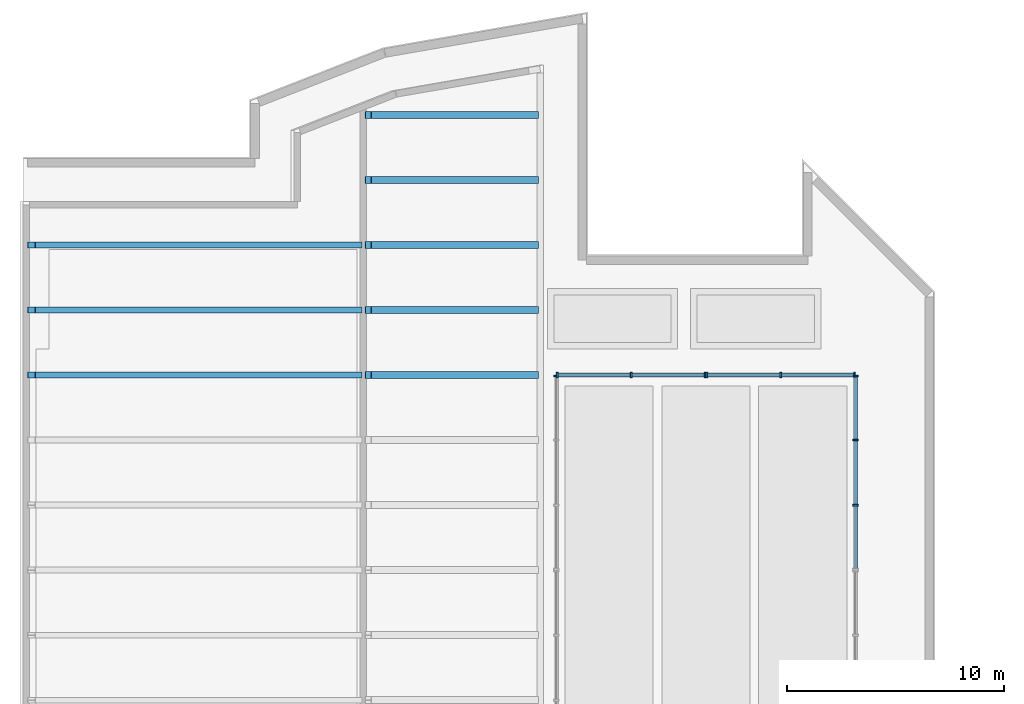
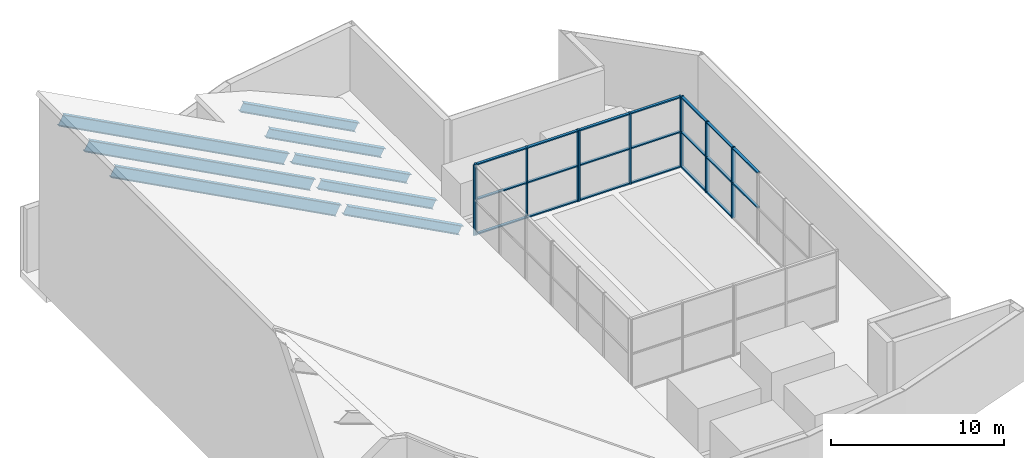
# One storey, part 2 of 6: 30 members, 8 beams, 4 elements without a shape of their own.
"""IFC4 building model written with IfcOpenShell, lengths in metres."""

from ifc_helpers import new_model, si_unit, direction, frame, origin, origin_2d, place, context, subcontext, project, spatial, rectangle, i_section, extrude, material, material_profile, profile_set, type_object, element, aggregate, save


model = new_model("IFC4")

# Units and contexts
model_context = context("Model", 3, precision=1e-05, world=origin(), true_north=direction((0.0, 1.0)))
body_context = subcontext(model_context, "Body", "Model", "MODEL_VIEW")
ifc_project = project(units=[si_unit("LENGTHUNIT", "METRE"), si_unit("AREAUNIT", "SQUARE_METRE"), si_unit("VOLUMEUNIT", "CUBIC_METRE"), si_unit("PLANEANGLEUNIT", "RADIAN"), si_unit("MASSUNIT", "GRAM", prefix="KILO")], contexts=[model_context])

# Site, building, storey
site_placement = place(None, origin())
site = spatial("IfcSite", under=ifc_project, at=site_placement, CompositionType="ELEMENT")
building_placement = place(site_placement, origin())
building = spatial("IfcBuilding", under=site, at=building_placement, Name="Cypress Arch Tower", CompositionType="ELEMENT")
storey_placement = place(building_placement, frame((0.0, 0.0, 359.0)))
storey = spatial("IfcBuildingStorey", under=building, at=storey_placement, Name="ROOF", CompositionType="ELEMENT", Elevation=359.0)

# Curtain wall, members
ifc_material_1 = material(Name="Anodised aluminium, bronze finish, clear laminated double glazing", Category="aluminium")
curtain_wall_type = type_object("IfcCurtainWallType", Name="Curtain wall CW4 atrium enclosure", PredefinedType="NOTDEFINED", material=ifc_material_1)
curtain_wall_1_placement = place(storey_placement, origin())
curtain_wall_1 = element("IfcCurtainWall", 1, at=curtain_wall_1_placement, inside=storey, type_object=curtain_wall_type, Name="Curtain wall lantern 2.2", PredefinedType="NOTDEFINED")
ifc_material_2 = material(Name="Anodised aluminium, bronze finish", Category="aluminium")
ifc_material_profile_1 = material_profile(ifc_material_2, rectangle(XDim=0.239990234375, YDim=0.0849609375, at=origin_2d()), Name="Mullion 85x240")
ifc_profile_set_1 = profile_set([ifc_material_profile_1], Name="Anodised aluminium, bronze finish")
member_type_1 = type_object("IfcMemberType", Name="Mullion CW4 85x240", PredefinedType="MULLION", material=ifc_profile_set_1)
member_1_placement = place(storey_placement, frame((8.39990234375, 3.0, 0.0), z_axis=(0.0, 0.0, 1.0), x_axis=(-1.0, 0.0, 0.0)))
member_1 = element("IfcMember", 2, at=member_1_placement, type_object=member_type_1, Name="CW4 mullion 2", PredefinedType="MULLION", context=body_context, shape_type="SweptSolid", body=[
    extrude(rectangle(XDim=0.239990234375, YDim=0.0849609375, at=origin_2d()), origin(), (0.0, 0.0, 1.0), 5.0),
])
member_2_placement = place(storey_placement, frame((8.39990234375, 6.0, 0.0), z_axis=(0.0, 0.0, 1.0), x_axis=(-1.0, 0.0, 0.0)))
member_2 = element("IfcMember", 3, at=member_2_placement, type_object=member_type_1, Name="CW4 mullion 3", PredefinedType="MULLION", context=body_context, shape_type="SweptSolid", body=[
    extrude(rectangle(XDim=0.239990234375, YDim=0.0849609375, at=origin_2d()), origin(), (0.0, 0.0, 1.0), 5.0),
])
member_3_placement = place(storey_placement, frame((8.39990234375, 8.95751953125, 0.0), z_axis=(0.0, 0.0, 1.0), x_axis=(-1.0, 0.0, 0.0)))
member_3 = element("IfcMember", 4, at=member_3_placement, type_object=member_type_1, Name="CW4 mullion 4", PredefinedType="MULLION", context=body_context, shape_type="SweptSolid", body=[
    extrude(rectangle(XDim=0.239990234375, YDim=0.0849609375, at=origin_2d()), origin(), (0.0, 0.0, 1.0), 5.0),
])

curtain_wall_2_placement = place(storey_placement, origin())
curtain_wall_2 = element("IfcCurtainWall", 5, at=curtain_wall_2_placement, inside=storey, type_object=curtain_wall_type, Name="Curtain wall lantern 3.1", PredefinedType="NOTDEFINED")
member_4_placement = place(storey_placement, frame((8.357421875, 9.0, 0.0), z_axis=(0.0, 0.0, 1.0), x_axis=(0.0, -1.0, 0.0)))
member_4 = element("IfcMember", 6, at=member_4_placement, type_object=member_type_1, Name="CW4 mullion 1", PredefinedType="MULLION", context=body_context, shape_type="SweptSolid", body=[
    extrude(rectangle(XDim=0.239990234375, YDim=0.0849609375, at=origin_2d()), origin(), (0.0, 0.0, 1.0), 5.0),
])
member_5_placement = place(storey_placement, frame((4.949951171875, 9.0, 0.0), z_axis=(0.0, 0.0, 1.0), x_axis=(0.0, -1.0, 0.0)))
member_5 = element("IfcMember", 7, at=member_5_placement, type_object=member_type_1, Name="CW4 mullion 2", PredefinedType="MULLION", context=body_context, shape_type="SweptSolid", body=[
    extrude(rectangle(XDim=0.239990234375, YDim=0.0849609375, at=origin_2d()), origin(), (0.0, 0.0, 1.0), 5.0),
])
member_6_placement = place(storey_placement, frame((1.54248046875, 9.0, 0.0), z_axis=(0.0, 0.0, 1.0), x_axis=(0.0, -1.0, 0.0)))
member_6 = element("IfcMember", 8, at=member_6_placement, type_object=member_type_1, Name="CW4 mullion 3", PredefinedType="MULLION", context=body_context, shape_type="SweptSolid", body=[
    extrude(rectangle(XDim=0.239990234375, YDim=0.0849609375, at=origin_2d()), origin(), (0.0, 0.0, 1.0), 5.0),
])

curtain_wall_3_placement = place(storey_placement, origin())
curtain_wall_3 = element("IfcCurtainWall", 9, at=curtain_wall_3_placement, inside=storey, type_object=curtain_wall_type, Name="Curtain wall lantern 3.2", PredefinedType="NOTDEFINED")
member_7_placement = place(storey_placement, frame((1.45751953125, 9.0, 0.0), z_axis=(0.0, 0.0, 1.0), x_axis=(0.0, -1.0, 0.0)))
member_7 = element("IfcMember", 10, at=member_7_placement, type_object=member_type_1, Name="CW4 mullion 1", PredefinedType="MULLION", context=body_context, shape_type="SweptSolid", body=[
    extrude(rectangle(XDim=0.239990234375, YDim=0.0849609375, at=origin_2d()), origin(), (0.0, 0.0, 1.0), 5.0),
])
member_8_placement = place(storey_placement, frame((-1.949951171875, 9.0, 0.0), z_axis=(0.0, 0.0, 1.0), x_axis=(0.0, -1.0, 0.0)))
member_8 = element("IfcMember", 11, at=member_8_placement, type_object=member_type_1, Name="CW4 mullion 2", PredefinedType="MULLION", context=body_context, shape_type="SweptSolid", body=[
    extrude(rectangle(XDim=0.239990234375, YDim=0.0849609375, at=origin_2d()), origin(), (0.0, 0.0, 1.0), 5.0),
])
member_9_placement = place(storey_placement, frame((-5.357421875, 9.0, 0.0), z_axis=(0.0, 0.0, 1.0), x_axis=(0.0, -1.0, 0.0)))
member_9 = element("IfcMember", 12, at=member_9_placement, type_object=member_type_1, Name="CW4 mullion 3", PredefinedType="MULLION", context=body_context, shape_type="SweptSolid", body=[
    extrude(rectangle(XDim=0.239990234375, YDim=0.0849609375, at=origin_2d()), origin(), (0.0, 0.0, 1.0), 5.0),
])

# Curtain wall, member
curtain_wall_4_placement = place(storey_placement, origin())
curtain_wall_4 = element("IfcCurtainWall", 13, at=curtain_wall_4_placement, inside=storey, type_object=curtain_wall_type, Name="Curtain wall lantern 4.1", PredefinedType="NOTDEFINED")
member_10_placement = place(storey_placement, frame((-5.39990234375, 8.95751953125, 0.0), z_axis=(0.0, 0.0, 1.0), x_axis=(1.0, 0.0, 0.0)))
member_10 = element("IfcMember", 14, at=member_10_placement, type_object=member_type_1, Name="CW4 mullion 1", PredefinedType="MULLION", context=body_context, shape_type="SweptSolid", body=[
    extrude(rectangle(XDim=0.239990234375, YDim=0.0849609375, at=origin_2d()), origin(), (0.0, 0.0, 1.0), 5.0),
])
aggregate(curtain_wall_4, [member_10])

# Beams
ifc_material_3 = material(Name="Steel ASTM A992", Category="steel")
ifc_material_profile_2 = material_profile(ifc_material_3, i_section(OverallWidth=0.3251953125, OverallDepth=0.612060546875, WebThickness=0.0126953125, FlangeThickness=0.01904296875, at=origin_2d()), Name="W24x104")
ifc_profile_set_2 = profile_set([ifc_material_profile_2], Name="Steel ASTM A992")
beam_type_1 = type_object("IfcBeamType", Name="Roof rafter W24x104 Steel ASTM A992", PredefinedType="BEAM", material=ifc_profile_set_2)
for number, where, z_axis, x_axis, name in (
    (15, (-14.078125, 9.0, 4.808837890625), (0.882952326067, 0.0, -0.469462660807), (0.0, 1.0, 0.0), "Roof rafter 21"),
    (16, (-14.078125, 12.0, 4.808837890625), (0.882952326067, 0.0, -0.469462660807), (0.0, 1.0, 0.0), "Roof rafter 22"),
    (17, (-14.078125, 15.0, 4.808837890625), (0.882952326067, 0.0, -0.469462660807), (0.0, 1.0, 0.0), "Roof rafter 23"),
    (18, (-14.078125, 18.0, 4.808837890625), (0.882952326067, 0.0, -0.469462660807), (0.0, 1.0, 0.0), "Roof rafter 24"),
    (19, (-14.078125, 21.0, 4.808837890625), (0.882952326067, 0.0, -0.469462660807), (0.0, 1.0, 0.0), "Roof rafter 25"),
):
    element("IfcBeam", number, at=place(storey_placement, frame(where, z_axis=z_axis, x_axis=x_axis)), inside=storey, type_object=beam_type_1, Name=name, PredefinedType="BEAM", context=body_context, shape_type="SweptSolid", body=[
        extrude(i_section(OverallWidth=0.3251953125, OverallDepth=0.612060546875, WebThickness=0.0126953125, FlangeThickness=0.01904296875, at=origin_2d()), origin(), (0.0, 0.0, 1.0), 8.727783203125),
    ])
ifc_material_4 = material(Name="Steel ASTM A992", Category="steel")
ifc_material_profile_3 = material_profile(ifc_material_4, i_section(OverallWidth=0.2666015625, OverallDepth=0.77978515625, WebThickness=0.0166015625, FlangeThickness=0.030029296875, at=origin_2d()), Name="W30x148")
ifc_profile_set_3 = profile_set([ifc_material_profile_3], Name="Steel ASTM A992")
beam_type_2 = type_object("IfcBeamType", Name="Roof rafter W30x148 Steel ASTM A992", PredefinedType="BEAM", material=ifc_profile_set_3)
for number, where, z_axis, x_axis, name in (
    (20, (-29.6083984375, 9.0, 12.971435546875), (0.882947093895, 0.0, -0.4694725012), (0.0, 1.0, 0.0), "Roof rafter 9"),
    (21, (-29.6083984375, 12.0, 12.971435546875), (0.882947093895, 0.0, -0.4694725012), (0.0, 1.0, 0.0), "Roof rafter 10"),
    (22, (-29.6083984375, 15.0, 12.971435546875), (0.882947093895, 0.0, -0.4694725012), (0.0, 1.0, 0.0), "Roof rafter 11"),
):
    element("IfcBeam", number, at=place(storey_placement, frame(where, z_axis=z_axis, x_axis=x_axis)), inside=storey, type_object=beam_type_2, Name=name, PredefinedType="BEAM", context=body_context, shape_type="SweptSolid", body=[
        extrude(i_section(OverallWidth=0.2666015625, OverallDepth=0.77978515625, WebThickness=0.0166015625, FlangeThickness=0.030029296875, at=origin_2d()), origin(), (0.0, 0.0, 1.0), 17.064208984375),
    ])

# Member
ifc_material_5 = material(Name="Anodised aluminium, bronze finish", Category="aluminium")
ifc_material_profile_4 = material_profile(ifc_material_5, rectangle(XDim=0.179931640625, YDim=0.0849609375, at=origin_2d()), Name="Transom 85x180")
ifc_profile_set_4 = profile_set([ifc_material_profile_4], Name="Anodised aluminium, bronze finish")
member_type_2 = type_object("IfcMemberType", Name="Transom CW4 85x180", PredefinedType="USERDEFINED", material=ifc_profile_set_4)
member_11_placement = place(storey_placement, frame((8.39990234375, 0.0849609375, 2.5), z_axis=(0.0, 1.0, 0.0), x_axis=(-1.0, 0.0, 0.0)))
member_11 = element("IfcMember", 23, at=member_11_placement, type_object=member_type_2, Name="CW4 transom 1.2", ObjectType="TRANSOM", PredefinedType="USERDEFINED", context=body_context, shape_type="SweptSolid", body=[
    extrude(rectangle(XDim=0.179931640625, YDim=0.0849609375, at=origin_2d()), origin(), (0.0, 0.0, 1.0), 2.87255859375),
])

member_12_placement = place(storey_placement, frame((8.39990234375, 0.0849609375, 4.95751953125), z_axis=(0.0, 1.0, 0.0), x_axis=(-1.0, 0.0, 0.0)))
member_12 = element("IfcMember", 24, at=member_12_placement, type_object=member_type_2, Name="CW4 transom 1.3", ObjectType="TRANSOM", PredefinedType="USERDEFINED", context=body_context, shape_type="SweptSolid", body=[
    extrude(rectangle(XDim=0.179931640625, YDim=0.0849609375, at=origin_2d()), origin(), (0.0, 0.0, 1.0), 2.87255859375),
])

member_13_placement = place(storey_placement, frame((8.39990234375, 3.04248046875, 0.04248046875), z_axis=(0.0, 1.0, 0.0), x_axis=(-1.0, 0.0, 0.0)))
member_13 = element("IfcMember", 25, at=member_13_placement, type_object=member_type_2, Name="CW4 transom 2.1", ObjectType="TRANSOM", PredefinedType="USERDEFINED", context=body_context, shape_type="SweptSolid", body=[
    extrude(rectangle(XDim=0.179931640625, YDim=0.0849609375, at=origin_2d()), origin(), (0.0, 0.0, 1.0), 2.9150390625),
])

member_14_placement = place(storey_placement, frame((8.39990234375, 3.04248046875, 2.5), z_axis=(0.0, 1.0, 0.0), x_axis=(-1.0, 0.0, 0.0)))
member_14 = element("IfcMember", 26, at=member_14_placement, type_object=member_type_2, Name="CW4 transom 2.2", ObjectType="TRANSOM", PredefinedType="USERDEFINED", context=body_context, shape_type="SweptSolid", body=[
    extrude(rectangle(XDim=0.179931640625, YDim=0.0849609375, at=origin_2d()), origin(), (0.0, 0.0, 1.0), 2.9150390625),
])

member_15_placement = place(storey_placement, frame((8.39990234375, 3.04248046875, 4.95751953125), z_axis=(0.0, 1.0, 0.0), x_axis=(-1.0, 0.0, 0.0)))
member_15 = element("IfcMember", 27, at=member_15_placement, type_object=member_type_2, Name="CW4 transom 2.3", ObjectType="TRANSOM", PredefinedType="USERDEFINED", context=body_context, shape_type="SweptSolid", body=[
    extrude(rectangle(XDim=0.179931640625, YDim=0.0849609375, at=origin_2d()), origin(), (0.0, 0.0, 1.0), 2.9150390625),
])

member_16_placement = place(storey_placement, frame((8.39990234375, 6.04248046875, 0.04248046875), z_axis=(0.0, 1.0, 0.0), x_axis=(-1.0, 0.0, 0.0)))
member_16 = element("IfcMember", 28, at=member_16_placement, type_object=member_type_2, Name="CW4 transom 3.1", ObjectType="TRANSOM", PredefinedType="USERDEFINED", context=body_context, shape_type="SweptSolid", body=[
    extrude(rectangle(XDim=0.179931640625, YDim=0.0849609375, at=origin_2d()), origin(), (0.0, 0.0, 1.0), 2.87255859375),
])

member_17_placement = place(storey_placement, frame((8.39990234375, 6.04248046875, 2.5), z_axis=(0.0, 1.0, 0.0), x_axis=(-1.0, 0.0, 0.0)))
member_17 = element("IfcMember", 29, at=member_17_placement, type_object=member_type_2, Name="CW4 transom 3.2", ObjectType="TRANSOM", PredefinedType="USERDEFINED", context=body_context, shape_type="SweptSolid", body=[
    extrude(rectangle(XDim=0.179931640625, YDim=0.0849609375, at=origin_2d()), origin(), (0.0, 0.0, 1.0), 2.87255859375),
])

member_18_placement = place(storey_placement, frame((8.39990234375, 6.04248046875, 4.95751953125), z_axis=(0.0, 1.0, 0.0), x_axis=(-1.0, 0.0, 0.0)))
member_18 = element("IfcMember", 30, at=member_18_placement, type_object=member_type_2, Name="CW4 transom 3.3", ObjectType="TRANSOM", PredefinedType="USERDEFINED", context=body_context, shape_type="SweptSolid", body=[
    extrude(rectangle(XDim=0.179931640625, YDim=0.0849609375, at=origin_2d()), origin(), (0.0, 0.0, 1.0), 2.87255859375),
])

aggregate(curtain_wall_1, [member_1, member_2, member_3, member_11, member_12, member_13, member_14, member_15, member_16, member_17, member_18])

member_19_placement = place(storey_placement, frame((8.31494140625, 9.0, 0.04248046875), z_axis=(-1.0, 0.0, 0.0), x_axis=(0.0, -1.0, 0.0)))
member_19 = element("IfcMember", 31, at=member_19_placement, type_object=member_type_2, Name="CW4 transom 1.1", ObjectType="TRANSOM", PredefinedType="USERDEFINED", context=body_context, shape_type="SweptSolid", body=[
    extrude(rectangle(XDim=0.179931640625, YDim=0.0849609375, at=origin_2d()), origin(), (0.0, 0.0, 1.0), 3.322509765625),
])

member_20_placement = place(storey_placement, frame((8.31494140625, 9.0, 2.5), z_axis=(-1.0, 0.0, 0.0), x_axis=(0.0, -1.0, 0.0)))
member_20 = element("IfcMember", 32, at=member_20_placement, type_object=member_type_2, Name="CW4 transom 1.2", ObjectType="TRANSOM", PredefinedType="USERDEFINED", context=body_context, shape_type="SweptSolid", body=[
    extrude(rectangle(XDim=0.179931640625, YDim=0.0849609375, at=origin_2d()), origin(), (0.0, 0.0, 1.0), 3.322509765625),
])

member_21_placement = place(storey_placement, frame((8.31494140625, 9.0, 4.95751953125), z_axis=(-1.0, 0.0, 0.0), x_axis=(0.0, -1.0, 0.0)))
member_21 = element("IfcMember", 33, at=member_21_placement, type_object=member_type_2, Name="CW4 transom 1.3", ObjectType="TRANSOM", PredefinedType="USERDEFINED", context=body_context, shape_type="SweptSolid", body=[
    extrude(rectangle(XDim=0.179931640625, YDim=0.0849609375, at=origin_2d()), origin(), (0.0, 0.0, 1.0), 3.322509765625),
])

member_22_placement = place(storey_placement, frame((4.907470703125, 9.0, 0.04248046875), z_axis=(-1.0, 0.0, 0.0), x_axis=(0.0, -1.0, 0.0)))
member_22 = element("IfcMember", 34, at=member_22_placement, type_object=member_type_2, Name="CW4 transom 2.1", ObjectType="TRANSOM", PredefinedType="USERDEFINED", context=body_context, shape_type="SweptSolid", body=[
    extrude(rectangle(XDim=0.179931640625, YDim=0.0849609375, at=origin_2d()), origin(), (0.0, 0.0, 1.0), 3.322509765625),
])

member_23_placement = place(storey_placement, frame((4.907470703125, 9.0, 2.5), z_axis=(-1.0, 0.0, 0.0), x_axis=(0.0, -1.0, 0.0)))
member_23 = element("IfcMember", 35, at=member_23_placement, type_object=member_type_2, Name="CW4 transom 2.2", ObjectType="TRANSOM", PredefinedType="USERDEFINED", context=body_context, shape_type="SweptSolid", body=[
    extrude(rectangle(XDim=0.179931640625, YDim=0.0849609375, at=origin_2d()), origin(), (0.0, 0.0, 1.0), 3.322509765625),
])

member_24_placement = place(storey_placement, frame((4.907470703125, 9.0, 4.95751953125), z_axis=(-1.0, 0.0, 0.0), x_axis=(0.0, -1.0, 0.0)))
member_24 = element("IfcMember", 36, at=member_24_placement, type_object=member_type_2, Name="CW4 transom 2.3", ObjectType="TRANSOM", PredefinedType="USERDEFINED", context=body_context, shape_type="SweptSolid", body=[
    extrude(rectangle(XDim=0.179931640625, YDim=0.0849609375, at=origin_2d()), origin(), (0.0, 0.0, 1.0), 3.322509765625),
])

aggregate(curtain_wall_2, [member_4, member_5, member_6, member_19, member_20, member_21, member_22, member_23, member_24])

member_25_placement = place(storey_placement, frame((1.4150390625, 9.0, 0.04248046875), z_axis=(-1.0, 0.0, 0.0), x_axis=(0.0, -1.0, 0.0)))
member_25 = element("IfcMember", 37, at=member_25_placement, type_object=member_type_2, Name="CW4 transom 1.1", ObjectType="TRANSOM", PredefinedType="USERDEFINED", context=body_context, shape_type="SweptSolid", body=[
    extrude(rectangle(XDim=0.179931640625, YDim=0.0849609375, at=origin_2d()), origin(), (0.0, 0.0, 1.0), 3.322509765625),
])

member_26_placement = place(storey_placement, frame((1.4150390625, 9.0, 2.5), z_axis=(-1.0, 0.0, 0.0), x_axis=(0.0, -1.0, 0.0)))
member_26 = element("IfcMember", 38, at=member_26_placement, type_object=member_type_2, Name="CW4 transom 1.2", ObjectType="TRANSOM", PredefinedType="USERDEFINED", context=body_context, shape_type="SweptSolid", body=[
    extrude(rectangle(XDim=0.179931640625, YDim=0.0849609375, at=origin_2d()), origin(), (0.0, 0.0, 1.0), 3.322509765625),
])

member_27_placement = place(storey_placement, frame((1.4150390625, 9.0, 4.95751953125), z_axis=(-1.0, 0.0, 0.0), x_axis=(0.0, -1.0, 0.0)))
member_27 = element("IfcMember", 39, at=member_27_placement, type_object=member_type_2, Name="CW4 transom 1.3", ObjectType="TRANSOM", PredefinedType="USERDEFINED", context=body_context, shape_type="SweptSolid", body=[
    extrude(rectangle(XDim=0.179931640625, YDim=0.0849609375, at=origin_2d()), origin(), (0.0, 0.0, 1.0), 3.322509765625),
])

member_28_placement = place(storey_placement, frame((-1.992431640625, 9.0, 0.04248046875), z_axis=(-1.0, 0.0, 0.0), x_axis=(0.0, -1.0, 0.0)))
member_28 = element("IfcMember", 40, at=member_28_placement, type_object=member_type_2, Name="CW4 transom 2.1", ObjectType="TRANSOM", PredefinedType="USERDEFINED", context=body_context, shape_type="SweptSolid", body=[
    extrude(rectangle(XDim=0.179931640625, YDim=0.0849609375, at=origin_2d()), origin(), (0.0, 0.0, 1.0), 3.322509765625),
])

member_29_placement = place(storey_placement, frame((-1.992431640625, 9.0, 2.5), z_axis=(-1.0, 0.0, 0.0), x_axis=(0.0, -1.0, 0.0)))
member_29 = element("IfcMember", 41, at=member_29_placement, type_object=member_type_2, Name="CW4 transom 2.2", ObjectType="TRANSOM", PredefinedType="USERDEFINED", context=body_context, shape_type="SweptSolid", body=[
    extrude(rectangle(XDim=0.179931640625, YDim=0.0849609375, at=origin_2d()), origin(), (0.0, 0.0, 1.0), 3.322509765625),
])

member_30_placement = place(storey_placement, frame((-1.992431640625, 9.0, 4.95751953125), z_axis=(-1.0, 0.0, 0.0), x_axis=(0.0, -1.0, 0.0)))
member_30 = element("IfcMember", 42, at=member_30_placement, type_object=member_type_2, Name="CW4 transom 2.3", ObjectType="TRANSOM", PredefinedType="USERDEFINED", context=body_context, shape_type="SweptSolid", body=[
    extrude(rectangle(XDim=0.179931640625, YDim=0.0849609375, at=origin_2d()), origin(), (0.0, 0.0, 1.0), 3.322509765625),
])

aggregate(curtain_wall_3, [member_7, member_8, member_9, member_25, member_26, member_27, member_28, member_29, member_30])

save(model, "model.ifc")
